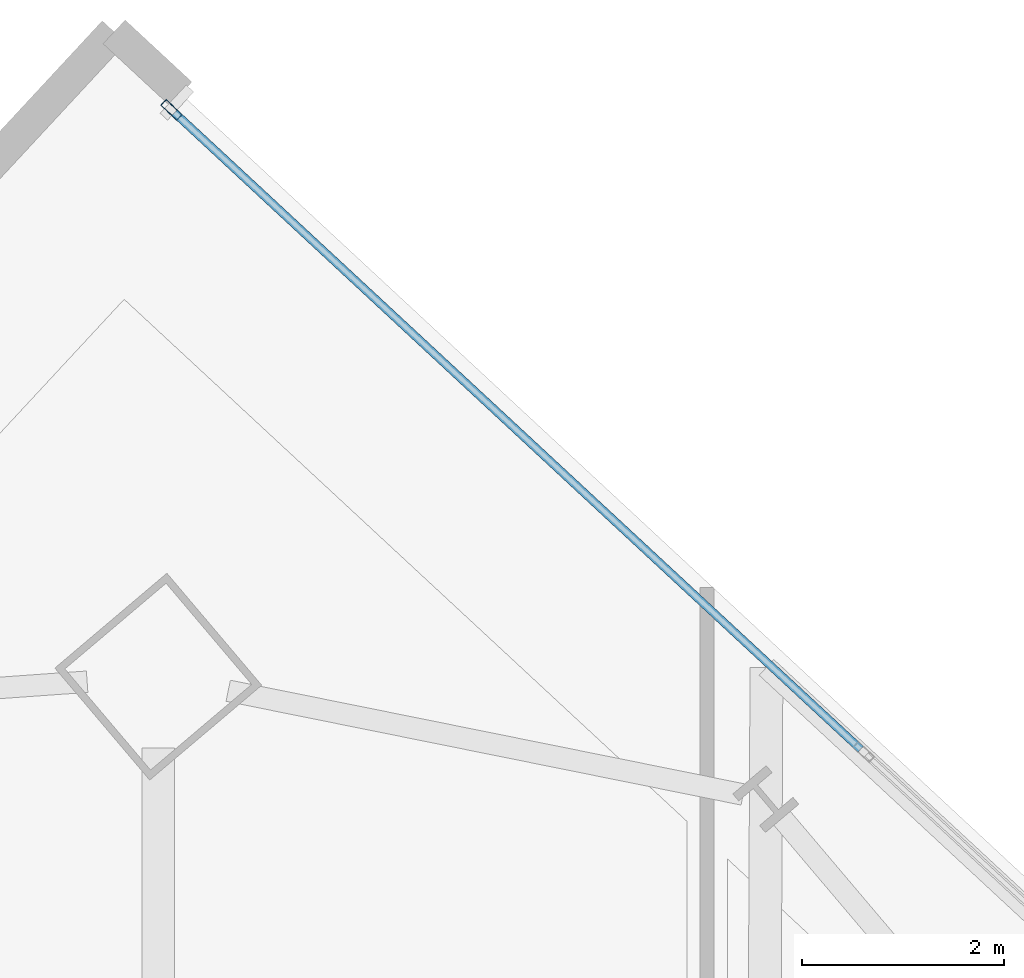
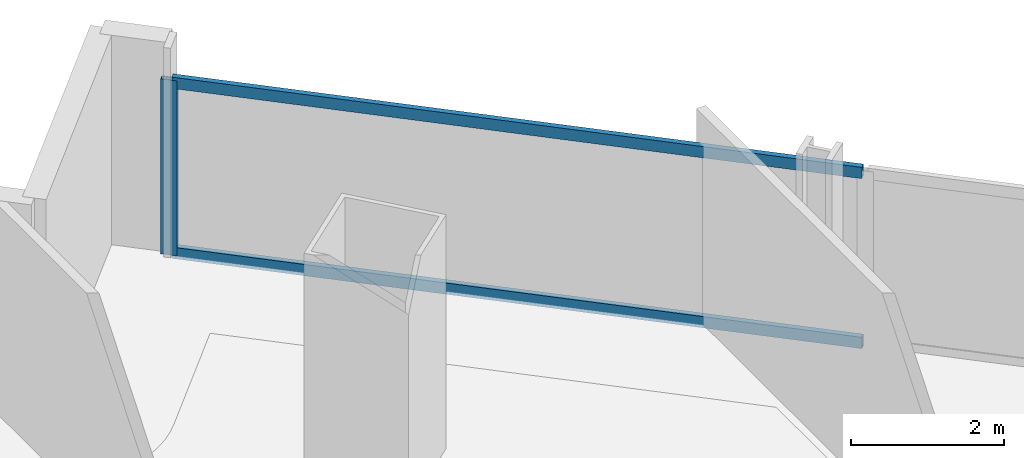
# One storey, part 22 of 32: 3 members, 1 element without a shape of its own.
"""IFC4 building model written with IfcOpenShell, lengths in metres."""

from ifc_helpers import new_model, si_unit, direction, frame, origin, origin_2d, place, context, subcontext, project, spatial, hollow_rectangle, extrude, material, material_profile, profile_set, type_object, element, aggregate, save


model = new_model("IFC4")

# Units and contexts
model_context = context("Model", 3, precision=1e-05, world=origin(), true_north=direction((0.0, 1.0)))
body_context = subcontext(model_context, "Body", "Model", "MODEL_VIEW")
ifc_project = project(units=[si_unit("LENGTHUNIT", "METRE"), si_unit("AREAUNIT", "SQUARE_METRE"), si_unit("VOLUMEUNIT", "CUBIC_METRE"), si_unit("PLANEANGLEUNIT", "RADIAN"), si_unit("MASSUNIT", "GRAM", prefix="KILO")], contexts=[model_context])

# Site, building, storey
site_placement = place(None, origin())
site = spatial("IfcSite", under=ifc_project, at=site_placement, CompositionType="ELEMENT")
building_placement = place(site_placement, origin())
building = spatial("IfcBuilding", under=site, at=building_placement, Name="Haldenkirk Collegiate Tower", CompositionType="ELEMENT")
storey_placement = place(building_placement, frame((0.0, 0.0, 185.699951171875)))
storey = spatial("IfcBuildingStorey", under=building, at=storey_placement, Name="L46", CompositionType="ELEMENT", Elevation=185.699951171875)

# Curtain wall, members
ifc_material = material(Name="Anodised architectural bronze aluminium", Category="aluminium")
curtain_wall_type = type_object("IfcCurtainWallType", Name="CW-SYS1-CONVEX-LOW", PredefinedType="USERDEFINED", material=ifc_material)
curtain_wall_placement = place(storey_placement, origin())
curtain_wall = element("IfcCurtainWall", 1, at=curtain_wall_placement, inside=storey, type_object=curtain_wall_type, Name="L46 Lower tower convex bronze-framed unitised curtain wall", ObjectType="UNITISED CURTAIN WALL", PredefinedType="USERDEFINED")
ifc_material_profile_1 = material_profile(ifc_material, hollow_rectangle(XDim=0.080078125, YDim=0.219970703125, WallThickness=0.0048828125, at=origin_2d()), Name="CW-MUL-1A")
ifc_profile_set_1 = profile_set([ifc_material_profile_1], Name="Anodised architectural bronze aluminium")
member_type_1 = type_object("IfcMemberType", Name="CW-MUL-1A", PredefinedType="MULLION", material=ifc_profile_set_1)
member_1_placement = place(storey_placement, frame((39.207275390625, 56.6748046875, 0.0), z_axis=(0.0, 0.0, 1.0), x_axis=(0.680079272169, 0.733138584148, 0.0)))
member_1 = element("IfcMember", 2, at=member_1_placement, type_object=member_type_1, Name="CW-1A mullion 1", PredefinedType="MULLION", context=body_context, shape_type="SweptSolid", body=[
    extrude(hollow_rectangle(XDim=0.080078125, YDim=0.219970703125, WallThickness=0.0048828125, at=origin_2d()), origin(), (0.0, 0.0, 1.0), 2.791015625),
])
ifc_material_profile_2 = material_profile(ifc_material, hollow_rectangle(XDim=0.080078125, YDim=0.179931640625, WallThickness=0.0048828125, at=origin_2d()), Name="CW-TRN-1A")
ifc_profile_set_2 = profile_set([ifc_material_profile_2], Name="Anodised architectural bronze aluminium")
member_type_2 = type_object("IfcMemberType", Name="CW-TRN-1A", PredefinedType="USERDEFINED", material=ifc_profile_set_2)
member_2_placement = place(storey_placement, frame((39.236572265625, 56.6474609375, 0.0400390625), z_axis=(0.733138445601, -0.680079421525, 0.0), x_axis=(0.680079421525, 0.733138445601, 0.0)))
member_2 = element("IfcMember", 3, at=member_2_placement, type_object=member_type_2, Name="CW-1A transom 1.1", ObjectType="TRANSOM", PredefinedType="USERDEFINED", context=body_context, shape_type="SweptSolid", body=[
    extrude(hollow_rectangle(XDim=0.080078125, YDim=0.179931640625, WallThickness=0.0048828125, at=origin_2d()), origin(), (0.0, 0.0, 1.0), 9.24853515625),
])
member_3_placement = place(storey_placement, frame((39.236572265625, 56.6474609375, 2.7509765625), z_axis=(0.733138445601, -0.680079421525, 0.0), x_axis=(0.680079421525, 0.733138445601, 0.0)))
member_3 = element("IfcMember", 4, at=member_3_placement, type_object=member_type_2, Name="CW-1A transom 1.2", ObjectType="TRANSOM", PredefinedType="USERDEFINED", context=body_context, shape_type="SweptSolid", body=[
    extrude(hollow_rectangle(XDim=0.080078125, YDim=0.179931640625, WallThickness=0.0048828125, at=origin_2d()), origin(), (0.0, 0.0, 1.0), 9.24853515625),
])
aggregate(curtain_wall, [member_1, member_2, member_3])

save(model, "model.ifc")
